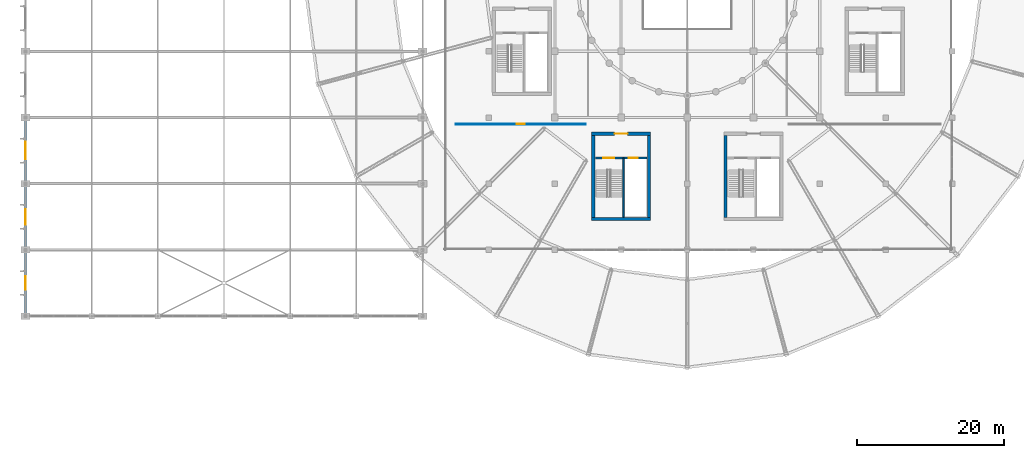
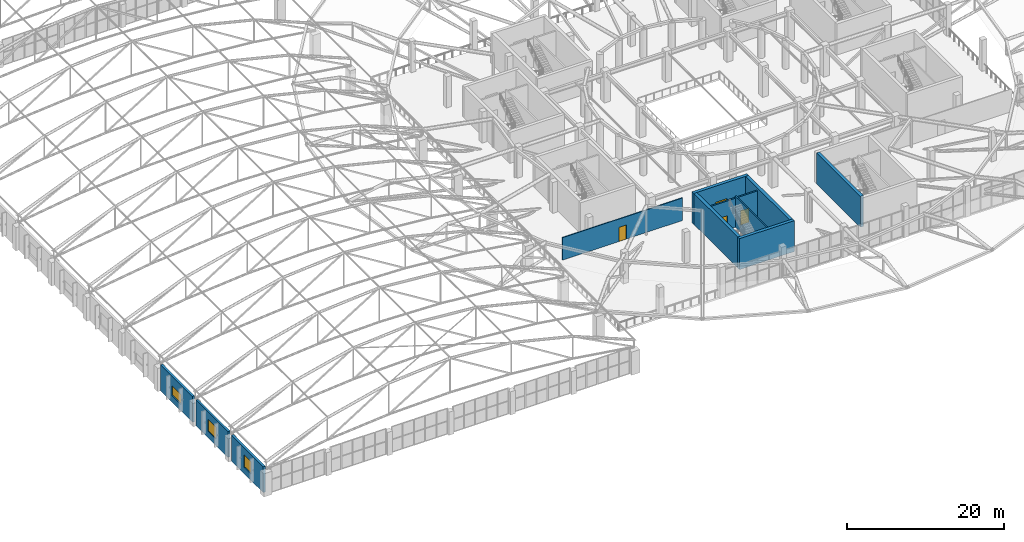
# One storey, part 138 of 167: 11 walls, 4 doors, 3 windows, 7 openings.
"""IFC4 building model written with IfcOpenShell, lengths in metres."""

from ifc_helpers import new_model, si_unit, direction, frame, frame_2d, origin, place, context, subcontext, project, spatial, rectangle, extrude, material, layer, layer_set, type_object, element, fill, save


model = new_model("IFC4")

# Units and contexts
model_context = context("Model", 3, precision=1e-05, world=origin(), true_north=direction((0.0, 1.0)))
body_context = subcontext(model_context, "Body", "Model", "MODEL_VIEW")
ifc_project = project(units=[si_unit("LENGTHUNIT", "METRE"), si_unit("AREAUNIT", "SQUARE_METRE"), si_unit("VOLUMEUNIT", "CUBIC_METRE"), si_unit("PLANEANGLEUNIT", "RADIAN"), si_unit("MASSUNIT", "GRAM", prefix="KILO")], contexts=[model_context])

# Site, building, storey
site_placement = place(None, origin())
site = spatial("IfcSite", under=ifc_project, at=site_placement, CompositionType="ELEMENT")
building_placement = place(site_placement, origin())
building = spatial("IfcBuilding", under=site, at=building_placement, Name="Dornveld Trade and Exhibition Forum", CompositionType="ELEMENT")
storey_placement = place(building_placement, frame((0.0, 0.0, 16.800048828125)))
storey = spatial("IfcBuildingStorey", under=building, at=storey_placement, Name="L03", CompositionType="ELEMENT", Elevation=16.800048828125)

# Wall
ifc_material_1 = material(Name="Concrete C40/50", Category="concrete")
ifc_layer_1 = layer(ifc_material_1, 0.449951171875)
ifc_layer_set_1 = layer_set([ifc_layer_1], Name="Concrete C40/50")
wall_type_1 = type_object("IfcWallType", Name="WL-CORE-450", PredefinedType="SHEAR", material=ifc_layer_set_1)
wall_1_placement = place(storey_placement, frame((103.97509765625, 49.199951171875, 0.0), z_axis=(0.0, 0.0, 1.0), x_axis=(1.0, 0.0, 0.0)))
element("IfcWall", 1, at=wall_1_placement, inside=storey, type_object=wall_type_1, Name="CORE-06 L03 shear wall S", PredefinedType="SHEAR", context=body_context, shape_type="SweptSolid", body=[
    extrude(rectangle(XDim=8.0498046875, YDim=0.449951171875, at=frame_2d((4.02490234375, 0.0))), origin(), (0.0, 0.0, 1.0), 4.800048828125),
])

# Wall, opening, door
wall_2_placement = place(storey_placement, frame((103.97509765625, 60.800048828125, 0.0), z_axis=(0.0, 0.0, 1.0), x_axis=(1.0, 0.0, 0.0)))
wall_2 = element("IfcWall", 2, at=wall_2_placement, inside=storey, type_object=wall_type_1, Name="CORE-06 L03 shear wall N", PredefinedType="SHEAR", context=body_context, shape_type="SweptSolid", body=[
    extrude(rectangle(XDim=8.0498046875, YDim=0.449951171875, at=frame_2d((4.02490234375, 0.0))), origin(), (0.0, 0.0, 1.0), 4.800048828125),
])
opening_1_placement = place(wall_2_placement, frame((3.14990234375, 0.0, 0.0)))
opening_1 = element("IfcOpeningElement", 3, at=opening_1_placement, cuts=wall_2, Name="Opening CD-06-L03", PredefinedType="OPENING", context=body_context, shape_type="SweptSolid", body=[
    extrude(rectangle(XDim=1.75, YDim=2.300048828125, at=frame_2d((0.875, 1.14990234375))), frame((0.0, 0.23486328125, 0.0), z_axis=(0.0, -1.0, 0.0), x_axis=(1.0, 0.0, 0.0)), (0.0, 0.0, 1.0), 0.469970703125),
])
ifc_material_2 = material(Name="Steel fire-rated double door assembly", Category="steel")
door_type_1 = type_object("IfcDoorType", Name="DR-CORE-175x230", OperationType="NOTDEFINED", PredefinedType="DOOR", material=ifc_material_2)
door_1_placement = place(opening_1_placement, origin())
door_1 = element("IfcDoor", 4, at=door_1_placement, inside=storey, type_object=door_type_1, Name="CORE-06 L03 core lobby double fire door", OperationType="DOUBLE_DOOR_SINGLE_SWING", OverallHeight=2.300048828125, OverallWidth=1.75, PredefinedType="DOOR", context=body_context, shape_type="SweptSolid", body=[
    extrude(rectangle(XDim=1.75, YDim=2.300048828125, at=frame_2d((0.875, 1.14990234375))), frame((0.0, 0.02490234375, 0.0), z_axis=(0.0, -1.0, 0.0), x_axis=(1.0, 0.0, 0.0)), (0.0, 0.0, 1.0), 0.050048828125),
])
fill(opening_1, door_1)

# Walls
for number, where, z_axis, x_axis, name in (
    (5, (104.199951171875, 49.425048828125, 0.0), (0.0, 0.0, 1.0), (0.0, 1.0, 0.0), "CORE-06 L03 shear wall W"),
    (6, (111.800048828125, 49.425048828125, 0.0), (0.0, 0.0, 1.0), (0.0, 1.0, 0.0), "CORE-06 L03 shear wall E"),
    (7, (122.199951171875, 49.425048828125, 0.0), (0.0, 0.0, 1.0), (0.0, 1.0, 0.0), "CORE-07 L03 shear wall W"),
):
    element("IfcWall", number, at=place(storey_placement, frame(where, z_axis=z_axis, x_axis=x_axis)), inside=storey, type_object=wall_type_1, Name=name, PredefinedType="SHEAR", context=body_context, shape_type="SweptSolid", body=[
        extrude(rectangle(XDim=11.14990234375, YDim=0.449951171875, at=frame_2d((5.574951171875, 0.0))), origin(), (0.0, 0.0, 1.0), 4.800048828125),
    ])

# Wall, opening, window
ifc_material_3 = material(Name="Precast concrete C50/60", Category="concrete")
ifc_layer_2 = layer(ifc_material_3, 0.31005859375)
ifc_layer_set_2 = layer_set([ifc_layer_2], Name="Precast concrete C50/60")
wall_type_2 = type_object("IfcWallType", Name="WL-EXT-PC310", PredefinedType="SOLIDWALL", material=ifc_layer_set_2)
wall_3_placement = place(storey_placement, frame((27.0, 44.550537109375, 0.0), z_axis=(0.0, 0.0, 1.0), x_axis=(0.0, -1.0, 0.0)))
wall_3 = element("IfcWall", 8, at=wall_3_placement, inside=storey, type_object=wall_type_2, Name="L03 precast facade wall 39", PredefinedType="SOLIDWALL", context=body_context, shape_type="SweptSolid", body=[
    extrude(rectangle(XDim=8.10107421875, YDim=0.31005859375, at=frame_2d((4.050537109375, 0.0))), origin(), (0.0, 0.0, 1.0), 4.02001953125),
])
opening_2_placement = place(wall_3_placement, frame((3.150390625, 0.0, 1.0)))
opening_2 = element("IfcOpeningElement", 9, at=opening_2_placement, cuts=wall_3, Name="Opening W-19", PredefinedType="OPENING", context=body_context, shape_type="SweptSolid", body=[
    extrude(rectangle(XDim=1.800048828125, YDim=1.89990234375, at=frame_2d((0.89990234375, 0.949951171875))), frame((0.0, 0.1650390625, 0.0), z_axis=(0.0, -1.0, 0.0), x_axis=(1.0, 0.0, 0.0)), (0.0, 0.0, 1.0), 0.330078125),
])
ifc_material_4 = material(Name="Dark-bronze anodised aluminium and low-E glass", Category="aluminium")
window_type_1 = type_object("IfcWindowType", Name="WIN-AL-19", PartitioningType="SINGLE_PANEL", PredefinedType="WINDOW", material=ifc_material_4)
window_1_placement = place(opening_2_placement, origin())
window_1 = element("IfcWindow", 10, at=window_1_placement, inside=storey, type_object=window_type_1, Name="L03 facade window 19", OverallHeight=1.89990234375, OverallWidth=1.800048828125, PartitioningType="SINGLE_PANEL", PredefinedType="WINDOW", context=body_context, shape_type="SweptSolid", body=[
    extrude(rectangle(XDim=1.800048828125, YDim=1.89990234375, at=frame_2d((0.89990234375, 0.949951171875))), frame((0.0, 0.030029296875, 0.0), z_axis=(0.0, -1.0, 0.0), x_axis=(1.0, 0.0, 0.0)), (0.0, 0.0, 1.0), 0.06005859375),
])
fill(opening_2, window_1)

wall_4_placement = place(storey_placement, frame((27.0, 53.550537109375, 0.0), z_axis=(0.0, 0.0, 1.0), x_axis=(0.0, -1.0, 0.0)))
wall_4 = element("IfcWall", 11, at=wall_4_placement, inside=storey, type_object=wall_type_2, Name="L03 precast facade wall 43", PredefinedType="SOLIDWALL", context=body_context, shape_type="SweptSolid", body=[
    extrude(rectangle(XDim=8.10107421875, YDim=0.31005859375, at=frame_2d((4.050537109375, 0.0))), origin(), (0.0, 0.0, 1.0), 4.02001953125),
])
opening_3_placement = place(wall_4_placement, frame((3.00048828125, 0.0, 1.0)))
opening_3 = element("IfcOpeningElement", 12, at=opening_3_placement, cuts=wall_4, Name="Opening W-26", PredefinedType="OPENING", context=body_context, shape_type="SweptSolid", body=[
    extrude(rectangle(XDim=2.10009765625, YDim=1.89990234375, at=frame_2d((1.050048828125, 0.949951171875))), frame((0.0, 0.1650390625, 0.0), z_axis=(0.0, -1.0, 0.0), x_axis=(1.0, 0.0, 0.0)), (0.0, 0.0, 1.0), 0.330078125),
])
ifc_material_5 = material(Name="Dark-bronze anodised aluminium and low-E glass", Category="aluminium")
window_type_2 = type_object("IfcWindowType", Name="WIN-AL-26", PartitioningType="DOUBLE_PANEL_VERTICAL", PredefinedType="WINDOW", material=ifc_material_5)
window_2_placement = place(opening_3_placement, origin())
window_2 = element("IfcWindow", 13, at=window_2_placement, inside=storey, type_object=window_type_2, Name="L03 facade window 26", OverallHeight=1.89990234375, OverallWidth=2.10009765625, PartitioningType="SINGLE_PANEL", PredefinedType="WINDOW", context=body_context, shape_type="SweptSolid", body=[
    extrude(rectangle(XDim=2.10009765625, YDim=1.89990234375, at=frame_2d((1.050048828125, 0.949951171875))), frame((0.0, 0.030029296875, 0.0), z_axis=(0.0, -1.0, 0.0), x_axis=(1.0, 0.0, 0.0)), (0.0, 0.0, 1.0), 0.06005859375),
])
fill(opening_3, window_2)

wall_5_placement = place(storey_placement, frame((27.0, 62.550537109375, 0.0), z_axis=(0.0, 0.0, 1.0), x_axis=(0.0, -1.0, 0.0)))
wall_5 = element("IfcWall", 14, at=wall_5_placement, inside=storey, type_object=wall_type_2, Name="L03 precast facade wall 47", PredefinedType="SOLIDWALL", context=body_context, shape_type="SweptSolid", body=[
    extrude(rectangle(XDim=8.10107421875, YDim=0.31005859375, at=frame_2d((4.050537109375, 0.0))), origin(), (0.0, 0.0, 1.0), 4.02001953125),
])
opening_4_placement = place(wall_5_placement, frame((2.8505859375, 0.0, 1.0)))
opening_4 = element("IfcOpeningElement", 15, at=opening_4_placement, cuts=wall_5, Name="Opening W-31", PredefinedType="OPENING", context=body_context, shape_type="SweptSolid", body=[
    extrude(rectangle(XDim=2.39990234375, YDim=1.5, at=frame_2d((1.199951171875, 0.75))), frame((0.0, 0.1650390625, 0.0), z_axis=(0.0, -1.0, 0.0), x_axis=(1.0, 0.0, 0.0)), (0.0, 0.0, 1.0), 0.330078125),
])
ifc_material_6 = material(Name="Dark-bronze anodised aluminium and low-E glass", Category="aluminium")
window_type_3 = type_object("IfcWindowType", Name="WIN-AL-31", PartitioningType="DOUBLE_PANEL_VERTICAL", PredefinedType="WINDOW", material=ifc_material_6)
window_3_placement = place(opening_4_placement, origin())
window_3 = element("IfcWindow", 16, at=window_3_placement, inside=storey, type_object=window_type_3, Name="L03 facade window 31", OverallHeight=1.5, OverallWidth=2.39990234375, PartitioningType="SINGLE_PANEL", PredefinedType="WINDOW", context=body_context, shape_type="SweptSolid", body=[
    extrude(rectangle(XDim=2.39990234375, YDim=1.5, at=frame_2d((1.199951171875, 0.75))), frame((0.0, 0.030029296875, 0.0), z_axis=(0.0, -1.0, 0.0), x_axis=(1.0, 0.0, 0.0)), (0.0, 0.0, 1.0), 0.06005859375),
])
fill(opening_4, window_3)

# Wall, openings, doors
ifc_material_7 = material(Name="Concrete C40/50", Category="concrete")
ifc_layer_3 = layer(ifc_material_7, 0.219970703125)
ifc_layer_set_3 = layer_set([ifc_layer_3], Name="Concrete C40/50")
wall_type_3 = type_object("IfcWallType", Name="WL-INT-LOB220", PredefinedType="SOLIDWALL", material=ifc_layer_set_3)
wall_6_placement = place(storey_placement, frame((104.5, 57.5, 0.0), z_axis=(0.0, 0.0, 1.0), x_axis=(1.0, 0.0, 0.0)))
wall_6 = element("IfcWall", 17, at=wall_6_placement, inside=storey, type_object=wall_type_3, Name="CORE-06 L03 protected lobby bulkhead wall", PredefinedType="SOLIDWALL", context=body_context, shape_type="SweptSolid", body=[
    extrude(rectangle(XDim=7.0, YDim=0.219970703125, at=frame_2d((3.5, 0.0))), origin(), (0.0, 0.0, 1.0), 4.489990234375),
])
opening_5_placement = place(wall_6_placement, frame((1.050048828125, 0.0, 0.0)))
opening_5 = element("IfcOpeningElement", 18, at=opening_5_placement, cuts=wall_6, Name="Opening SD-06-L03", PredefinedType="OPENING", context=body_context, shape_type="SweptSolid", body=[
    extrude(rectangle(XDim=1.5, YDim=2.199951171875, at=frame_2d((0.75, 1.10009765625))), frame((0.0, 0.119873046875, 0.0), z_axis=(0.0, -1.0, 0.0), x_axis=(1.0, 0.0, 0.0)), (0.0, 0.0, 1.0), 0.239990234375),
])
opening_6_placement = place(wall_6_placement, frame((4.550048828125, 0.0, 0.0)))
opening_6 = element("IfcOpeningElement", 19, at=opening_6_placement, cuts=wall_6, Name="Opening LD-06-L03", PredefinedType="OPENING", context=body_context, shape_type="SweptSolid", body=[
    extrude(rectangle(XDim=1.199951171875, YDim=2.199951171875, at=frame_2d((0.60009765625, 1.10009765625))), frame((0.0, 0.119873046875, 0.0), z_axis=(0.0, -1.0, 0.0), x_axis=(1.0, 0.0, 0.0)), (0.0, 0.0, 1.0), 0.239990234375),
])
ifc_material_8 = material(Name="Brushed stainless steel sliding lift landing door", Category="steel")
door_type_2 = type_object("IfcDoorType", Name="DR-LIFT-120x220", OperationType="NOTDEFINED", PredefinedType="DOOR", material=ifc_material_8)
door_2_placement = place(opening_6_placement, origin())
door_2 = element("IfcDoor", 20, at=door_2_placement, inside=storey, type_object=door_type_2, Name="CORE-06 L03 lift sliding landing door", OperationType="SLIDING_TO_RIGHT", OverallHeight=2.199951171875, OverallWidth=1.199951171875, PredefinedType="DOOR", context=body_context, shape_type="SweptSolid", body=[
    extrude(rectangle(XDim=1.199951171875, YDim=2.199951171875, at=frame_2d((0.60009765625, 1.10009765625))), frame((0.0, 0.02490234375, 0.0), z_axis=(0.0, -1.0, 0.0), x_axis=(1.0, 0.0, 0.0)), (0.0, 0.0, 1.0), 0.050048828125),
])
fill(opening_6, door_2)
ifc_material_9 = material(Name="Steel fire-rated stair door assembly", Category="steel")
door_type_3 = type_object("IfcDoorType", Name="DR-STAIR-150x220", OperationType="NOTDEFINED", PredefinedType="DOOR", material=ifc_material_9)
door_3_placement = place(opening_5_placement, origin())
door_3 = element("IfcDoor", 21, at=door_3_placement, inside=storey, type_object=door_type_3, Name="CORE-06 L03 protected stair door", OperationType="SINGLE_SWING_RIGHT", OverallHeight=2.199951171875, OverallWidth=1.5, PredefinedType="DOOR", context=body_context, shape_type="SweptSolid", body=[
    extrude(rectangle(XDim=1.5, YDim=2.199951171875, at=frame_2d((0.75, 1.10009765625))), frame((0.0, 0.02490234375, 0.0), z_axis=(0.0, -1.0, 0.0), x_axis=(1.0, 0.0, 0.0)), (0.0, 0.0, 1.0), 0.050048828125),
])
fill(opening_5, door_3)

# Wall
ifc_material_10 = material(Name="Concrete C40/50", Category="concrete")
ifc_layer_4 = layer(ifc_material_10, 0.199951171875)
ifc_layer_set_4 = layer_set([ifc_layer_4], Name="Concrete C40/50")
wall_type_4 = type_object("IfcWallType", Name="WL-INT-SHAFT200", PredefinedType="SOLIDWALL", material=ifc_layer_set_4)
wall_7_placement = place(storey_placement, frame((108.320068359375, 49.449951171875, 0.0), z_axis=(0.0, 0.0, 1.0), x_axis=(0.0, 1.0, 0.0)))
element("IfcWall", 22, at=wall_7_placement, inside=storey, type_object=wall_type_4, Name="CORE-06 L03 lift-stair structural shaft wall", PredefinedType="SOLIDWALL", context=body_context, shape_type="SweptSolid", body=[
    extrude(rectangle(XDim=8.0, YDim=0.199951171875, at=frame_2d((4.0, 0.0))), origin(), (0.0, 0.0, 1.0), 4.800048828125),
])

# Wall, opening, door
ifc_material_11 = material(Name="Moisture-resistant wet-room partition", Category="gypsum")
ifc_layer_5 = layer(ifc_material_11, 0.125)
ifc_layer_set_5 = layer_set([ifc_layer_5], Name="Moisture-resistant wet-room partition")
wall_type_5 = type_object("IfcWallType", Name="WL-INT-WC125", PredefinedType="PARTITIONING", material=ifc_layer_set_5)
wall_8_placement = place(storey_placement, frame((85.52001953125, 62.10009765625, 0.0), z_axis=(0.0, 0.0, 1.0), x_axis=(1.0, 0.0, 0.0)))
wall_8 = element("IfcWall", 23, at=wall_8_placement, inside=storey, type_object=wall_type_5, Name="L03 interior partition 94", PredefinedType="PARTITIONING", context=body_context, shape_type="SweptSolid", body=[
    extrude(rectangle(XDim=17.659912109375, YDim=0.125, at=frame_2d((8.830078125, 0.0))), origin(), (0.0, 0.0, 1.0), 3.5),
])
opening_7_placement = place(wall_8_placement, frame((8.280029296875, 0.0, 0.0)))
opening_7 = element("IfcOpeningElement", 24, at=opening_7_placement, cuts=wall_8, Name="Opening OD-02-060", PredefinedType="OPENING", context=body_context, shape_type="SweptSolid", body=[
    extrude(rectangle(XDim=1.10009765625, YDim=2.199951171875, at=frame_2d((0.550048828125, 1.10009765625))), frame((0.0, 0.072509765625, 0.0), z_axis=(0.0, -1.0, 0.0), x_axis=(1.0, 0.0, 0.0)), (0.0, 0.0, 1.0), 0.14501953125),
])
ifc_material_12 = material(Name="Solid-core hardwood office door", Category="wood")
door_type_4 = type_object("IfcDoorType", Name="DR-OFF-110x220", OperationType="NOTDEFINED", PredefinedType="DOOR", material=ifc_material_12)
door_4_placement = place(opening_7_placement, origin())
door_4 = element("IfcDoor", 25, at=door_4_placement, inside=storey, type_object=door_type_4, Name="L03 interior room door 60", OperationType="SINGLE_SWING_RIGHT", OverallHeight=2.199951171875, OverallWidth=1.10009765625, PredefinedType="DOOR", context=body_context, shape_type="SweptSolid", body=[
    extrude(rectangle(XDim=1.10009765625, YDim=2.199951171875, at=frame_2d((0.550048828125, 1.10009765625))), frame((0.0, 0.02490234375, 0.0), z_axis=(0.0, -1.0, 0.0), x_axis=(1.0, 0.0, 0.0)), (0.0, 0.0, 1.0), 0.050048828125),
])
fill(opening_7, door_4)

save(model, "model.ifc")
